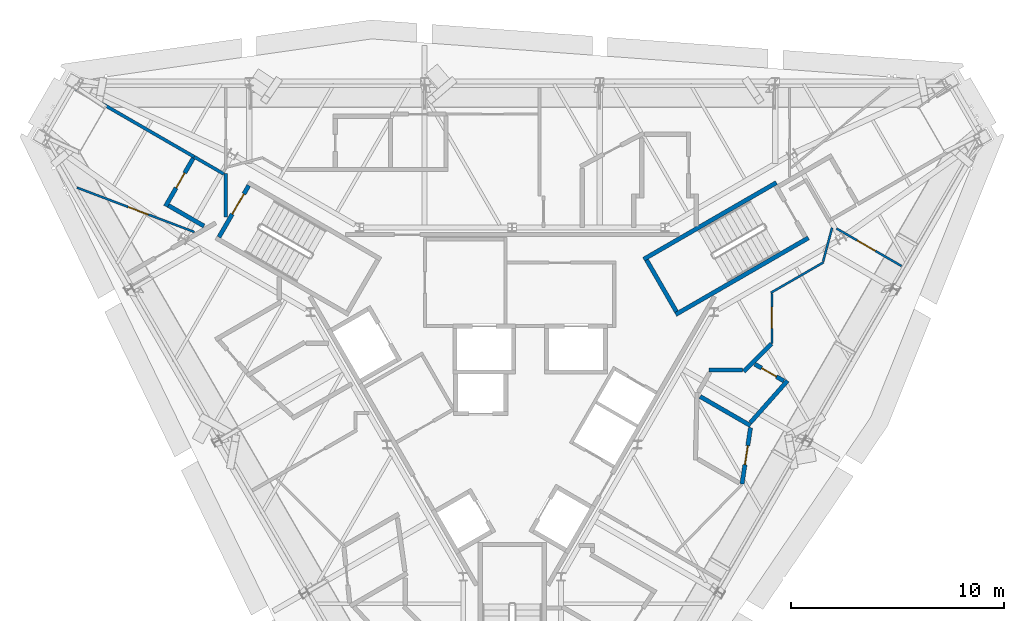
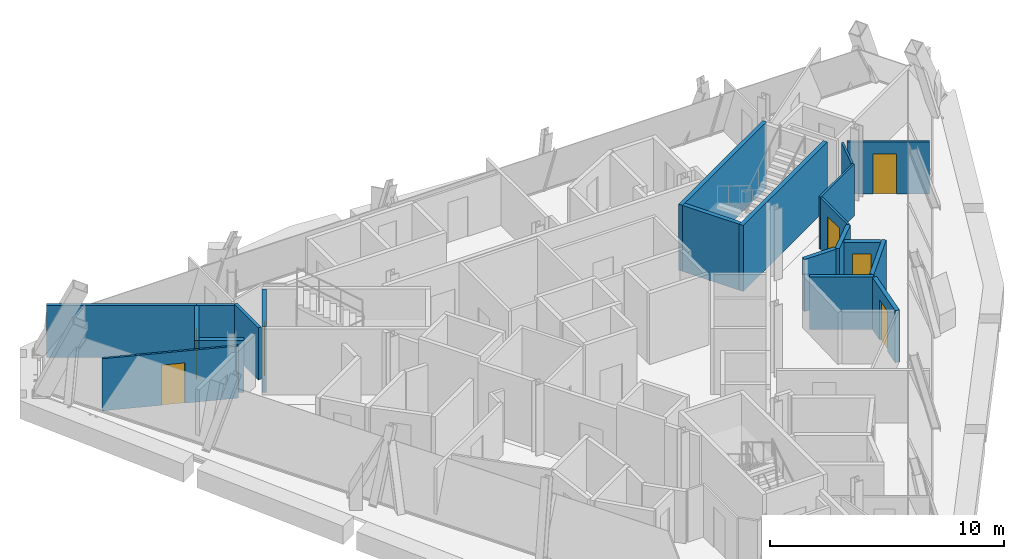
# One storey, part 9 of 13: 20 walls, 7 doors, 7 openings.
"""IFC4 building model written with IfcOpenShell, lengths in metres."""

from ifc_helpers import new_model, si_unit, direction, frame, frame_2d, origin, place, context, subcontext, project, spatial, rectangle, extrude, material, layer, layer_set, type_object, element, fill, save


model = new_model("IFC4")

# Units and contexts
model_context = context("Model", 3, precision=1e-05, world=origin(), true_north=direction((0.0, 1.0)))
body_context = subcontext(model_context, "Body", "Model", "MODEL_VIEW")
ifc_project = project(units=[si_unit("LENGTHUNIT", "METRE"), si_unit("AREAUNIT", "SQUARE_METRE"), si_unit("VOLUMEUNIT", "CUBIC_METRE"), si_unit("PLANEANGLEUNIT", "RADIAN"), si_unit("MASSUNIT", "GRAM", prefix="KILO")], contexts=[model_context])

# Site, building, storey
site_placement = place(None, origin())
site = spatial("IfcSite", under=ifc_project, at=site_placement, CompositionType="ELEMENT")
building_placement = place(site_placement, origin())
building = spatial("IfcBuilding", under=site, at=building_placement, Name="Verrane Prism Tower", CompositionType="ELEMENT")
storey_placement = place(building_placement, frame((0.0, 0.0, 304.699951171875)))
storey = spatial("IfcBuildingStorey", under=building, at=storey_placement, Name="L77", CompositionType="ELEMENT", Elevation=304.699951171875)

# Walls
ifc_material_1 = material(Name="Concrete C40/50", Category="concrete")
ifc_layer_1 = layer(ifc_material_1, 0.199951171875)
ifc_layer_set_1 = layer_set([ifc_layer_1], Name="CW-200 stair core wall concrete C40/50 3 h")
wall_type_1 = type_object("IfcWallType", Name="CW-200 stair core wall concrete C40/50 3 h", PredefinedType="PARTITIONING", material=ifc_layer_set_1)
for number, where, z_axis, x_axis, name in (
    (1, (6.17822265625, 5.299072265625, 0.0), (0.0, 0.0, 1.0), (0.866033125095, 0.499986626058, 0.0), "Stair 1 enclosure wall"),
    (2, (7.67822265625, 2.700927734375, 0.0), (0.0, 0.0, 1.0), (0.866018442252, 0.500012057535, 0.0), "Stair 1 enclosure wall"),
):
    element("IfcWall", number, at=place(storey_placement, frame(where, z_axis=z_axis, x_axis=x_axis)), inside=storey, type_object=wall_type_1, Name=name, PredefinedType="PARTITIONING", context=body_context, shape_type="SweptSolid", body=[
        extrude(rectangle(XDim=7.199951171875, YDim=0.199951171875, at=frame_2d((3.60009765625, 0.0))), origin(), (0.0, 0.0, 1.0), 3.449951171875),
    ])
wall_1_placement = place(storey_placement, frame((7.71484375, 2.837646484375, 0.0), z_axis=(0.0, 0.0, 1.0), x_axis=(-0.500049511043, 0.865996816683, 0.0)))
element("IfcWall", 3, at=wall_1_placement, inside=storey, type_object=wall_type_1, Name="Stair 1 enclosure wall", PredefinedType="PARTITIONING", context=body_context, shape_type="SweptSolid", body=[
    extrude(rectangle(XDim=2.800048828125, YDim=0.199951171875, at=frame_2d((1.39990234375, 0.0))), origin(), (0.0, 0.0, 1.0), 3.449951171875),
])

# Wall, opening, door
wall_2_placement = place(storey_placement, frame((-12.376953125, 8.762451171875, 0.0), z_axis=(0.0, 0.0, 1.0), x_axis=(-0.500049511043, -0.865996816683, 0.0)))
wall_2 = element("IfcWall", 4, at=wall_2_placement, inside=storey, type_object=wall_type_1, Name="Stair 2 enclosure wall", PredefinedType="PARTITIONING", context=body_context, shape_type="SweptSolid", body=[
    extrude(rectangle(XDim=2.800048828125, YDim=0.199951171875, at=frame_2d((1.39990234375, 0.0))), origin(), (0.0, 0.0, 1.0), 3.449951171875),
])
opening_1_placement = place(wall_2_placement, frame((0.449951171875, 0.0, 0.0)))
opening_1 = element("IfcOpeningElement", 5, at=opening_1_placement, cuts=wall_2, Name="Opening D75501", PredefinedType="OPENING", context=body_context, shape_type="SweptSolid", body=[
    extrude(rectangle(XDim=1.10009765625, YDim=2.10009765625, at=frame_2d((0.550048828125, 1.050048828125))), frame((0.0, 0.10986328125, 0.0), z_axis=(0.0, -1.0, 0.0), x_axis=(1.0, 0.0, 0.0)), (0.0, 0.0, 1.0), 0.219970703125),
])
ifc_material_2 = material(Name="Timber veneered door leaf", Category="wood")
door_type_1 = type_object("IfcDoorType", Name="DR-1100x2100 FD90 single leaf stair", OperationType="NOTDEFINED", PredefinedType="DOOR", material=ifc_material_2)
door_1_placement = place(opening_1_placement, origin())
door_1 = element("IfcDoor", 6, at=door_1_placement, inside=storey, type_object=door_type_1, Name="Stair 2 door", OperationType="SINGLE_SWING_RIGHT", OverallHeight=2.10009765625, OverallWidth=1.10009765625, PredefinedType="DOOR", context=body_context, shape_type="SweptSolid", body=[
    extrude(rectangle(XDim=1.10009765625, YDim=2.10009765625, at=frame_2d((0.550048828125, 1.050048828125))), frame((0.0, 0.02490234375, 0.0), z_axis=(0.0, -1.0, 0.0), x_axis=(1.0, 0.0, 0.0)), (0.0, 0.0, 1.0), 0.050048828125),
])
fill(opening_1, door_1)

ifc_material_3 = material(Name="Gypsum board partition", Category="other")
ifc_layer_2 = layer(ifc_material_3, 0.10009765625)
ifc_layer_set_2 = layer_set([ifc_layer_2], Name="PW-100 room partition")
wall_type_2 = type_object("IfcWallType", Name="PW-100 room partition", PredefinedType="PARTITIONING", material=ifc_layer_set_2)
wall_3_placement = place(storey_placement, frame((-20.454345703125, 8.66748046875, 0.0), z_axis=(0.0, 0.0, 1.0), x_axis=(0.935410436961, -0.353563734601, 0.0)))
wall_3 = element("IfcWall", 7, at=wall_3_placement, inside=storey, type_object=wall_type_2, Name="Room partition 002", PredefinedType="PARTITIONING", context=body_context, shape_type="SweptSolid", body=[
    extrude(rectangle(XDim=5.90673828125, YDim=0.10009765625, at=frame_2d((2.953369140625, 0.0))), origin(), (0.0, 0.0, 1.0), 2.72314453125),
])
opening_2_placement = place(wall_3_placement, frame((2.581787109375, 0.0, 0.0)))
opening_2 = element("IfcOpeningElement", 8, at=opening_2_placement, cuts=wall_3, Name="Opening D75025", PredefinedType="OPENING", context=body_context, shape_type="SweptSolid", body=[
    extrude(rectangle(XDim=1.0, YDim=2.10009765625, at=frame_2d((0.5, 1.050048828125))), frame((0.0, 0.06005859375, 0.0), z_axis=(0.0, -1.0, 0.0), x_axis=(1.0, 0.0, 0.0)), (0.0, 0.0, 1.0), 0.1201171875),
])
ifc_material_4 = material(Name="Timber veneered door leaf", Category="wood")
door_type_2 = type_object("IfcDoorType", Name="DR-1000x2100 single leaf inner", OperationType="NOTDEFINED", PredefinedType="DOOR", material=ifc_material_4)
door_2_placement = place(opening_2_placement, origin())
door_2 = element("IfcDoor", 9, at=door_2_placement, inside=storey, type_object=door_type_2, Name="Study door", OperationType="SINGLE_SWING_LEFT", OverallHeight=2.10009765625, OverallWidth=1.0, PredefinedType="DOOR", context=body_context, shape_type="SweptSolid", body=[
    extrude(rectangle(XDim=1.0, YDim=2.10009765625, at=frame_2d((0.5, 1.050048828125))), frame((0.0, 0.02490234375, 0.0), z_axis=(0.0, -1.0, 0.0), x_axis=(1.0, 0.0, 0.0)), (0.0, 0.0, 1.0), 0.050048828125),
])
fill(opening_2, door_2)

wall_4_placement = place(storey_placement, frame((12.198974609375, 3.681884765625, 0.0), z_axis=(0.0, 0.0, 1.0), x_axis=(0.0, -1.0, 0.0)))
wall_4 = element("IfcWall", 10, at=wall_4_placement, inside=storey, type_object=wall_type_2, Name="Room partition 080", PredefinedType="PARTITIONING", context=body_context, shape_type="SweptSolid", body=[
    extrude(rectangle(XDim=2.330810546875, YDim=0.10009765625, at=frame_2d((1.16552734375, 0.0))), origin(), (0.0, 0.0, 1.0), 2.72314453125),
])
opening_3_placement = place(wall_4_placement, frame((0.631103515625, 0.0, 0.0)))
opening_3 = element("IfcOpeningElement", 11, at=opening_3_placement, cuts=wall_4, Name="Opening D75007", PredefinedType="OPENING", context=body_context, shape_type="SweptSolid", body=[
    extrude(rectangle(XDim=1.0, YDim=2.10009765625, at=frame_2d((0.5, 1.050048828125))), frame((0.0, 0.06005859375, 0.0), z_axis=(0.0, -1.0, 0.0), x_axis=(1.0, 0.0, 0.0)), (0.0, 0.0, 1.0), 0.1201171875),
])
door_3_placement = place(opening_3_placement, origin())
door_3 = element("IfcDoor", 12, at=door_3_placement, inside=storey, type_object=door_type_2, Name="Entrance Foyer door", OperationType="SINGLE_SWING_RIGHT", OverallHeight=2.10009765625, OverallWidth=1.0, PredefinedType="DOOR", context=body_context, shape_type="SweptSolid", body=[
    extrude(rectangle(XDim=1.0, YDim=2.10009765625, at=frame_2d((0.5, 1.050048828125))), frame((0.0, 0.02490234375, 0.0), z_axis=(0.0, -1.0, 0.0), x_axis=(1.0, 0.0, 0.0)), (0.0, 0.0, 1.0), 0.050048828125),
])
fill(opening_3, door_3)

# Walls
wall_5_placement = place(storey_placement, frame((12.15576171875, 3.72705078125, 0.0), z_axis=(0.0, 0.0, 1.0), x_axis=(0.866012137121, 0.500022977831, 0.0)))
element("IfcWall", 13, at=wall_5_placement, inside=storey, type_object=wall_type_2, Name="Room partition 081", PredefinedType="PARTITIONING", context=body_context, shape_type="SweptSolid", body=[
    extrude(rectangle(XDim=2.859619140625, YDim=0.10009765625, at=frame_2d((1.4296875, 0.0))), origin(), (0.0, 0.0, 1.0), 2.72314453125),
])
wall_6_placement = place(storey_placement, frame((14.607177734375, 5.19970703125, 0.0), z_axis=(0.0, 0.0, 1.0), x_axis=(0.258519214507, 0.966006115783, 0.0)))
element("IfcWall", 14, at=wall_6_placement, inside=storey, type_object=wall_type_2, Name="Room partition 087", PredefinedType="PARTITIONING", context=body_context, shape_type="SweptSolid", body=[
    extrude(rectangle(XDim=1.6318359375, YDim=0.10009765625, at=frame_2d((0.81591796875, 0.0))), origin(), (0.0, 0.0, 1.0), 2.72314453125),
])

# Wall, opening, door
wall_7_placement = place(storey_placement, frame((15.23779296875, 6.74365234375, 0.0), z_axis=(0.0, 0.0, 1.0), x_axis=(0.866104892567, -0.49986229611, 0.0)))
wall_7 = element("IfcWall", 15, at=wall_7_placement, inside=storey, type_object=wall_type_2, Name="Room partition 090", PredefinedType="PARTITIONING", context=body_context, shape_type="SweptSolid", body=[
    extrude(rectangle(XDim=3.5263671875, YDim=0.10009765625, at=frame_2d((1.76318359375, 0.0))), origin(), (0.0, 0.0, 1.0), 2.72314453125),
])
opening_4_placement = place(wall_7_placement, frame((1.113525390625, 0.0, 0.0)))
opening_4 = element("IfcOpeningElement", 16, at=opening_4_placement, cuts=wall_7, Name="Opening D75009", PredefinedType="OPENING", context=body_context, shape_type="SweptSolid", body=[
    extrude(rectangle(XDim=1.0, YDim=2.10009765625, at=frame_2d((0.5, 1.050048828125))), frame((0.0, 0.06005859375, 0.0), z_axis=(0.0, -1.0, 0.0), x_axis=(1.0, 0.0, 0.0)), (0.0, 0.0, 1.0), 0.1201171875),
])
door_4_placement = place(opening_4_placement, origin())
door_4 = element("IfcDoor", 17, at=door_4_placement, inside=storey, type_object=door_type_2, Name="Living And Dining Room door", OperationType="SINGLE_SWING_LEFT", OverallHeight=2.10009765625, OverallWidth=1.0, PredefinedType="DOOR", context=body_context, shape_type="SweptSolid", body=[
    extrude(rectangle(XDim=1.0, YDim=2.10009765625, at=frame_2d((0.5, 1.050048828125))), frame((0.0, 0.02490234375, 0.0), z_axis=(0.0, -1.0, 0.0), x_axis=(1.0, 0.0, 0.0)), (0.0, 0.0, 1.0), 0.050048828125),
])
fill(opening_4, door_4)

# Walls
ifc_material_5 = material(Name="Gypsum board partition", Category="other")
ifc_layer_3 = layer(ifc_material_5, 0.14990234375)
ifc_layer_set_3 = layer_set([ifc_layer_3], Name="PW-150 demising wall 1 h")
wall_type_3 = type_object("IfcWallType", Name="PW-150 demising wall 1 h", PredefinedType="PARTITIONING", material=ifc_layer_set_3)
wall_8_placement = place(storey_placement, frame((-20.505859375, 13.323974609375, 0.0), z_axis=(0.0, 0.0, 1.0), x_axis=(0.866004971522, -0.500035388047, 0.0)))
element("IfcWall", 18, at=wall_8_placement, inside=storey, type_object=wall_type_3, Name="Demising wall 001", PredefinedType="PARTITIONING", context=body_context, shape_type="SweptSolid", body=[
    extrude(rectangle(XDim=6.41552734375, YDim=0.14990234375, at=frame_2d((3.207763671875, 0.0))), origin(), (0.0, 0.0, 1.0), 2.72314453125),
])
wall_9_placement = place(storey_placement, frame((-14.945068359375, 10.114013671875, 0.0), z_axis=(0.0, 0.0, 1.0), x_axis=(0.865722560266, -0.500524173887, 0.0)))
element("IfcWall", 19, at=wall_9_placement, inside=storey, type_object=wall_type_3, Name="Demising wall 006", PredefinedType="PARTITIONING", context=body_context, shape_type="SweptSolid", body=[
    extrude(rectangle(XDim=1.616455078125, YDim=0.14990234375, at=frame_2d((0.80810546875, 0.0))), origin(), (0.0, 0.0, 1.0), 2.72314453125),
])
wall_10_placement = place(storey_placement, frame((-13.458984375, 7.27587890625, 0.0), z_axis=(0.0, 0.0, 1.0), x_axis=(0.0, 1.0, 0.0)))
element("IfcWall", 20, at=wall_10_placement, inside=storey, type_object=wall_type_3, Name="Demising wall 010", PredefinedType="PARTITIONING", context=body_context, shape_type="SweptSolid", body=[
    extrude(rectangle(XDim=2.05419921875, YDim=0.14990234375, at=frame_2d((1.027099609375, 0.0))), origin(), (0.0, 0.0, 1.0), 2.72314453125),
])

# Wall, opening, door
ifc_material_6 = material(Name="Gypsum board partition", Category="other")
ifc_layer_4 = layer(ifc_material_6, 0.199951171875)
ifc_layer_set_4 = layer_set([ifc_layer_4], Name="PW-200 plumbing wall")
wall_type_4 = type_object("IfcWallType", Name="PW-200 plumbing wall", PredefinedType="PARTITIONING", material=ifc_layer_set_4)
wall_11_placement = place(storey_placement, frame((-14.985107421875, 10.044677734375, 0.0), z_axis=(0.0, 0.0, 1.0), x_axis=(-0.499917058339, -0.866073284879, 0.0)))
wall_11 = element("IfcWall", 21, at=wall_11_placement, inside=storey, type_object=wall_type_4, Name="Plumbing wall 004", PredefinedType="PARTITIONING", context=body_context, shape_type="SweptSolid", body=[
    extrude(rectangle(XDim=2.6064453125, YDim=0.199951171875, at=frame_2d((1.30322265625, 0.0))), origin(), (0.0, 0.0, 1.0), 2.72314453125),
])
opening_5_placement = place(wall_11_placement, frame((0.806396484375, 0.0, 0.0)))
opening_5 = element("IfcOpeningElement", 22, at=opening_5_placement, cuts=wall_11, Name="Opening D75026", PredefinedType="OPENING", context=body_context, shape_type="SweptSolid", body=[
    extrude(rectangle(XDim=0.800048828125, YDim=2.10009765625, at=frame_2d((0.39990234375, 1.050048828125))), frame((0.0, 0.10986328125, 0.0), z_axis=(0.0, -1.0, 0.0), x_axis=(1.0, 0.0, 0.0)), (0.0, 0.0, 1.0), 0.219970703125),
])
ifc_material_7 = material(Name="Timber veneered door leaf", Category="wood")
door_type_3 = type_object("IfcDoorType", Name="DR-800x2100 single leaf bath", OperationType="NOTDEFINED", PredefinedType="DOOR", material=ifc_material_7)
door_5_placement = place(opening_5_placement, origin())
door_5 = element("IfcDoor", 23, at=door_5_placement, inside=storey, type_object=door_type_3, Name="Master Bathroom door", OperationType="SINGLE_SWING_LEFT", OverallHeight=2.10009765625, OverallWidth=0.800048828125, PredefinedType="DOOR", context=body_context, shape_type="SweptSolid", body=[
    extrude(rectangle(XDim=0.800048828125, YDim=2.10009765625, at=frame_2d((0.39990234375, 1.050048828125))), frame((0.0, 0.02490234375, 0.0), z_axis=(0.0, -1.0, 0.0), x_axis=(1.0, 0.0, 0.0)), (0.0, 0.0, 1.0), 0.050048828125),
])
fill(opening_5, door_5)

# Walls
wall_12_placement = place(storey_placement, frame((-16.1513671875, 7.823974609375, 0.0), z_axis=(0.0, 0.0, 1.0), x_axis=(0.86603803935, -0.499978113919, 0.0)))
element("IfcWall", 24, at=wall_12_placement, inside=storey, type_object=wall_type_4, Name="Plumbing wall 005", PredefinedType="PARTITIONING", context=body_context, shape_type="SweptSolid", body=[
    extrude(rectangle(XDim=1.9287109375, YDim=0.199951171875, at=frame_2d((0.96435546875, 0.0))), origin(), (0.0, 0.0, 1.0), 2.72314453125),
])
wall_13_placement = place(storey_placement, frame((8.828125, -1.149169921875, 0.0), z_axis=(0.0, 0.0, 1.0), x_axis=(0.865853899269, -0.50029693695, 0.0)))
element("IfcWall", 25, at=wall_13_placement, inside=storey, type_object=wall_type_4, Name="Plumbing wall 074", PredefinedType="PARTITIONING", context=body_context, shape_type="SweptSolid", body=[
    extrude(rectangle(XDim=2.734130859375, YDim=0.199951171875, at=frame_2d((1.3671875, 0.0))), origin(), (0.0, 0.0, 1.0), 2.72314453125),
])
wall_14_placement = place(storey_placement, frame((9.2529296875, 0.10107421875, 0.0), z_axis=(0.0, 0.0, 1.0), x_axis=(1.0, 0.0, 0.0)))
element("IfcWall", 26, at=wall_14_placement, inside=storey, type_object=wall_type_4, Name="Plumbing wall 075", PredefinedType="PARTITIONING", context=body_context, shape_type="SweptSolid", body=[
    extrude(rectangle(XDim=1.55615234375, YDim=0.199951171875, at=frame_2d((0.778076171875, 0.0))), origin(), (0.0, 0.0, 1.0), 2.72314453125),
])

# Wall, opening, door
wall_15_placement = place(storey_placement, frame((10.79736328125, -5.25634765625, 0.0), z_axis=(0.0, 0.0, 1.0), x_axis=(0.148961207986, 0.988843040384, 0.0)))
wall_15 = element("IfcWall", 27, at=wall_15_placement, inside=storey, type_object=wall_type_4, Name="Plumbing wall 076", PredefinedType="PARTITIONING", context=body_context, shape_type="SweptSolid", body=[
    extrude(rectangle(XDim=2.673095703125, YDim=0.199951171875, at=frame_2d((1.33642578125, 0.0))), origin(), (0.0, 0.0, 1.0), 2.72314453125),
])
opening_6_placement = place(wall_15_placement, frame((0.919921875, 0.0, 0.0)))
opening_6 = element("IfcOpeningElement", 28, at=opening_6_placement, cuts=wall_15, Name="Opening D75008", PredefinedType="OPENING", context=body_context, shape_type="SweptSolid", body=[
    extrude(rectangle(XDim=0.89990234375, YDim=2.10009765625, at=frame_2d((0.449951171875, 1.050048828125))), frame((0.0, 0.10986328125, 0.0), z_axis=(0.0, -1.0, 0.0), x_axis=(1.0, 0.0, 0.0)), (0.0, 0.0, 1.0), 0.219970703125),
])
ifc_material_8 = material(Name="Timber veneered door leaf", Category="wood")
door_type_4 = type_object("IfcDoorType", Name="DR-900x2100 single leaf inner", OperationType="NOTDEFINED", PredefinedType="DOOR", material=ifc_material_8)
door_6_placement = place(opening_6_placement, origin())
door_6 = element("IfcDoor", 29, at=door_6_placement, inside=storey, type_object=door_type_4, Name="Kitchen door", OperationType="SINGLE_SWING_RIGHT", OverallHeight=2.10009765625, OverallWidth=0.89990234375, PredefinedType="DOOR", context=body_context, shape_type="SweptSolid", body=[
    extrude(rectangle(XDim=0.89990234375, YDim=2.10009765625, at=frame_2d((0.449951171875, 1.050048828125))), frame((0.0, 0.02490234375, 0.0), z_axis=(0.0, -1.0, 0.0), x_axis=(1.0, 0.0, 0.0)), (0.0, 0.0, 1.0), 0.050048828125),
])
fill(opening_6, door_6)

# Walls
wall_16_placement = place(storey_placement, frame((10.878173828125, 0.0302734375, 0.0), z_axis=(0.0, 0.0, 1.0), x_axis=(0.707173379423, 0.707040176677, 0.0)))
element("IfcWall", 30, at=wall_16_placement, inside=storey, type_object=wall_type_4, Name="Plumbing wall 077", PredefinedType="PARTITIONING", context=body_context, shape_type="SweptSolid", body=[
    extrude(rectangle(XDim=1.832763671875, YDim=0.199951171875, at=frame_2d((0.91650390625, 0.0))), origin(), (0.0, 0.0, 1.0), 2.72314453125),
])
wall_17_placement = place(storey_placement, frame((11.1884765625, -2.377197265625, 0.0), z_axis=(0.0, 0.0, 1.0), x_axis=(0.663045631266, 0.748578981043, 0.0)))
element("IfcWall", 31, at=wall_17_placement, inside=storey, type_object=wall_type_4, Name="Plumbing wall 078", PredefinedType="PARTITIONING", context=body_context, shape_type="SweptSolid", body=[
    extrude(rectangle(XDim=2.634521484375, YDim=0.199951171875, at=frame_2d((1.3173828125, 0.0))), origin(), (0.0, 0.0, 1.0), 2.72314453125),
])

# Wall, opening, door
wall_18_placement = place(storey_placement, frame((12.7607421875, -0.41748046875, 0.0), z_axis=(0.0, 0.0, 1.0), x_axis=(-0.866030680601, 0.499990860175, 0.0)))
wall_18 = element("IfcWall", 32, at=wall_18_placement, inside=storey, type_object=wall_type_4, Name="Plumbing wall 079", PredefinedType="PARTITIONING", context=body_context, shape_type="SweptSolid", body=[
    extrude(rectangle(XDim=1.57470703125, YDim=0.199951171875, at=frame_2d((0.787353515625, 0.0))), origin(), (0.0, 0.0, 1.0), 2.72314453125),
])
opening_7_placement = place(wall_18_placement, frame((0.405029296875, 0.0, 0.0)))
opening_7 = element("IfcOpeningElement", 33, at=opening_7_placement, cuts=wall_18, Name="Opening D75010", PredefinedType="OPENING", context=body_context, shape_type="SweptSolid", body=[
    extrude(rectangle(XDim=0.800048828125, YDim=2.10009765625, at=frame_2d((0.39990234375, 1.050048828125))), frame((0.0, 0.10986328125, 0.0), z_axis=(0.0, -1.0, 0.0), x_axis=(1.0, 0.0, 0.0)), (0.0, 0.0, 1.0), 0.219970703125),
])
ifc_material_9 = material(Name="Timber veneered door leaf", Category="wood")
door_type_5 = type_object("IfcDoorType", Name="DR-800x2100 single leaf inner", OperationType="NOTDEFINED", PredefinedType="DOOR", material=ifc_material_9)
door_7_placement = place(opening_7_placement, origin())
door_7 = element("IfcDoor", 34, at=door_7_placement, inside=storey, type_object=door_type_5, Name="Bathroom door", OperationType="SINGLE_SWING_LEFT", OverallHeight=2.10009765625, OverallWidth=0.800048828125, PredefinedType="DOOR", context=body_context, shape_type="SweptSolid", body=[
    extrude(rectangle(XDim=0.800048828125, YDim=2.10009765625, at=frame_2d((0.39990234375, 1.050048828125))), frame((0.0, 0.02490234375, 0.0), z_axis=(0.0, -1.0, 0.0), x_axis=(1.0, 0.0, 0.0)), (0.0, 0.0, 1.0), 0.050048828125),
])
fill(opening_7, door_7)

save(model, "model.ifc")
